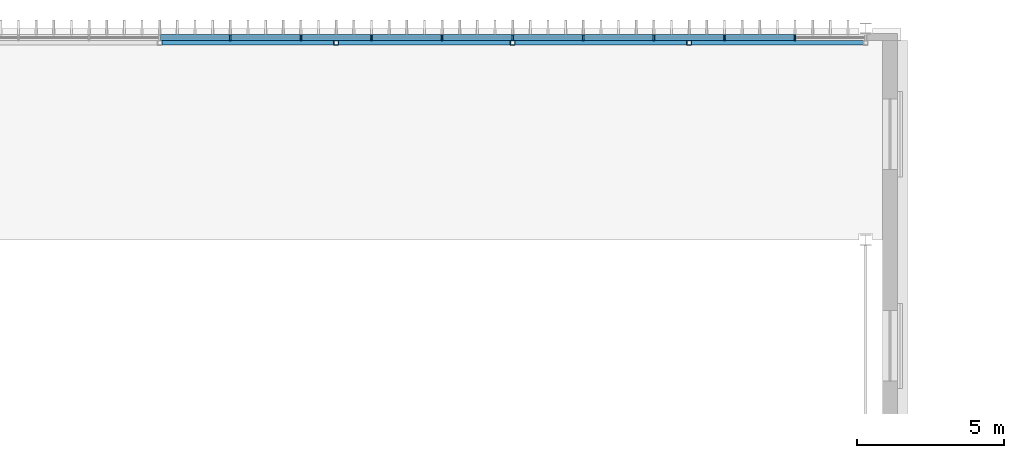
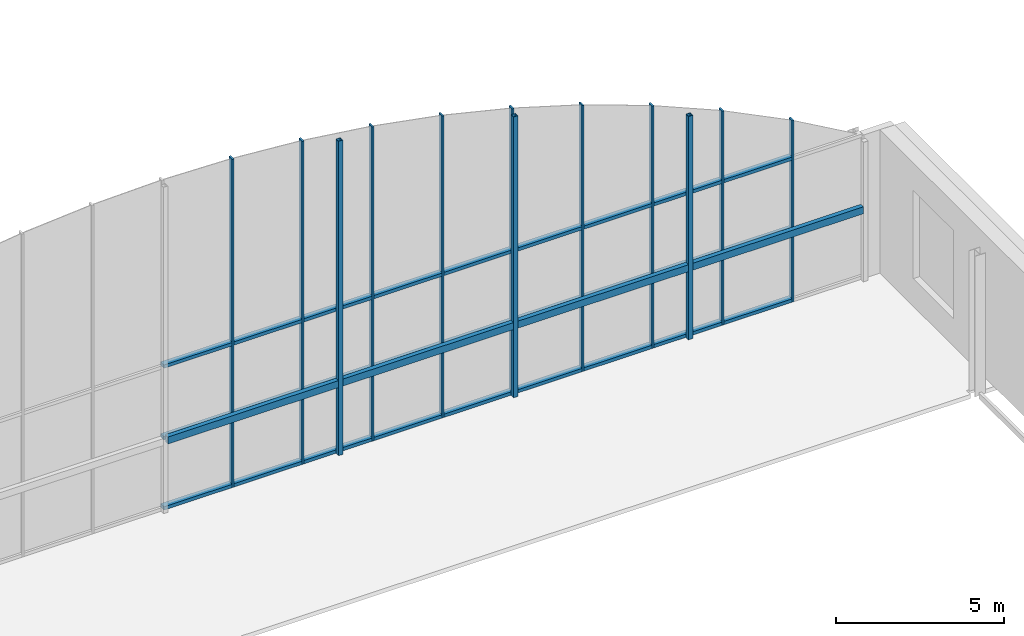
# One storey, part 29 of 93: 39 members, 4 beams, 1 element without a shape of its own.
"""IFC4 building model written with IfcOpenShell, lengths in metres."""

from ifc_helpers import new_model, si_unit, direction, frame, origin, origin_2d, place, context, subcontext, project, spatial, rectangle, hollow_rectangle, extrude, material, layer, layer_set, material_profile, profile_set, type_object, element, aggregate, save


model = new_model("IFC4")

# Units and contexts
model_context = context("Model", 3, precision=1e-05, world=origin(), true_north=direction((0.0, 1.0)))
body_context = subcontext(model_context, "Body", "Model", "MODEL_VIEW")
ifc_project = project(units=[si_unit("LENGTHUNIT", "METRE"), si_unit("AREAUNIT", "SQUARE_METRE"), si_unit("VOLUMEUNIT", "CUBIC_METRE"), si_unit("PLANEANGLEUNIT", "RADIAN"), si_unit("MASSUNIT", "GRAM", prefix="KILO")], contexts=[model_context])

# Site, building, storey
site_placement = place(None, origin())
site = spatial("IfcSite", under=ifc_project, at=site_placement, CompositionType="ELEMENT")
building_placement = place(site_placement, origin())
building = spatial("IfcBuilding", under=site, at=building_placement, Name="Verrick Yard Athletic Hall", CompositionType="ELEMENT")
storey_placement = place(building_placement, frame((0.0, 0.0, 8.800048828125)))
storey = spatial("IfcBuildingStorey", under=building, at=storey_placement, Name="L02", CompositionType="ELEMENT", Elevation=8.800048828125)

# Curtain wall, members
ifc_material_1 = material(Name="Anodised aluminium", Category="aluminium")
ifc_layer = layer(ifc_material_1, 0.199951171875)
ifc_layer_set = layer_set([ifc_layer], Name="Gable glazing")
curtain_wall_type = type_object("IfcCurtainWallType", Name="Gable glazing", PredefinedType="NOTDEFINED", material=ifc_layer_set)
curtain_wall_placement = place(storey_placement, origin())
curtain_wall = element("IfcCurtainWall", 1, at=curtain_wall_placement, inside=storey, type_object=curtain_wall_type, Name="Gable curtain wall BN", PredefinedType="NOTDEFINED")
ifc_material_profile_1 = material_profile(ifc_material_1, rectangle(XDim=0.199951171875, YDim=0.06005859375, at=origin_2d()), Name="CW gable mullion 60x200")
ifc_profile_set_1 = profile_set([ifc_material_profile_1], Name="Anodised aluminium")
member_type_1 = type_object("IfcMemberType", Name="Gable glazing mullion 60x200", PredefinedType="MULLION", material=ifc_profile_set_1)
member_1_placement = place(storey_placement, frame((54.39990234375, 107.681640625, 0.0), z_axis=(0.0, 0.0, 1.0), x_axis=(0.0, 1.0, 0.0)))
member_1 = element("IfcMember", 2, at=member_1_placement, type_object=member_type_1, Name="ENVB-HBN-CW/M11", PredefinedType="MULLION", context=body_context, shape_type="SweptSolid", body=[
    extrude(rectangle(XDim=0.199951171875, YDim=0.06005859375, at=origin_2d()), origin(), (0.0, 0.0, 1.0), 11.89453125),
])
member_2_placement = place(storey_placement, frame((56.800048828125, 107.681640625, 0.0), z_axis=(0.0, 0.0, 1.0), x_axis=(0.0, 1.0, 0.0)))
member_2 = element("IfcMember", 3, at=member_2_placement, type_object=member_type_1, Name="ENVB-HBN-CW/M12", PredefinedType="MULLION", context=body_context, shape_type="SweptSolid", body=[
    extrude(rectangle(XDim=0.199951171875, YDim=0.06005859375, at=origin_2d()), origin(), (0.0, 0.0, 1.0), 11.7060546875),
])
member_3_placement = place(storey_placement, frame((59.199951171875, 107.681640625, 0.0), z_axis=(0.0, 0.0, 1.0), x_axis=(0.0, 1.0, 0.0)))
member_3 = element("IfcMember", 4, at=member_3_placement, type_object=member_type_1, Name="ENVB-HBN-CW/M13", PredefinedType="MULLION", context=body_context, shape_type="SweptSolid", body=[
    extrude(rectangle(XDim=0.199951171875, YDim=0.06005859375, at=origin_2d()), origin(), (0.0, 0.0, 1.0), 11.39013671875),
])
member_4_placement = place(storey_placement, frame((61.60009765625, 107.681640625, 0.0), z_axis=(0.0, 0.0, 1.0), x_axis=(0.0, 1.0, 0.0)))
member_4 = element("IfcMember", 5, at=member_4_placement, type_object=member_type_1, Name="ENVB-HBN-CW/M14", PredefinedType="MULLION", context=body_context, shape_type="SweptSolid", body=[
    extrude(rectangle(XDim=0.199951171875, YDim=0.06005859375, at=origin_2d()), origin(), (0.0, 0.0, 1.0), 10.9443359375),
])
member_5_placement = place(storey_placement, frame((64.0, 107.681640625, 0.0), z_axis=(0.0, 0.0, 1.0), x_axis=(0.0, 1.0, 0.0)))
member_5 = element("IfcMember", 6, at=member_5_placement, type_object=member_type_1, Name="ENVB-HBN-CW/M15", PredefinedType="MULLION", context=body_context, shape_type="SweptSolid", body=[
    extrude(rectangle(XDim=0.199951171875, YDim=0.06005859375, at=origin_2d()), origin(), (0.0, 0.0, 1.0), 10.3642578125),
])
member_6_placement = place(storey_placement, frame((66.39990234375, 107.681640625, 0.0), z_axis=(0.0, 0.0, 1.0), x_axis=(0.0, 1.0, 0.0)))
member_6 = element("IfcMember", 7, at=member_6_placement, type_object=member_type_1, Name="ENVB-HBN-CW/M16", PredefinedType="MULLION", context=body_context, shape_type="SweptSolid", body=[
    extrude(rectangle(XDim=0.199951171875, YDim=0.06005859375, at=origin_2d()), origin(), (0.0, 0.0, 1.0), 9.64501953125),
])
member_7_placement = place(storey_placement, frame((68.800048828125, 107.681640625, 0.0), z_axis=(0.0, 0.0, 1.0), x_axis=(0.0, 1.0, 0.0)))
member_7 = element("IfcMember", 8, at=member_7_placement, type_object=member_type_1, Name="ENVB-HBN-CW/M17", PredefinedType="MULLION", context=body_context, shape_type="SweptSolid", body=[
    extrude(rectangle(XDim=0.199951171875, YDim=0.06005859375, at=origin_2d()), origin(), (0.0, 0.0, 1.0), 8.779541015625),
])
member_8_placement = place(storey_placement, frame((71.199951171875, 107.681640625, 0.0), z_axis=(0.0, 0.0, 1.0), x_axis=(0.0, 1.0, 0.0)))
member_8 = element("IfcMember", 9, at=member_8_placement, type_object=member_type_1, Name="ENVB-HBN-CW/M18", PredefinedType="MULLION", context=body_context, shape_type="SweptSolid", body=[
    extrude(rectangle(XDim=0.199951171875, YDim=0.06005859375, at=origin_2d()), origin(), (0.0, 0.0, 1.0), 7.758544921875),
])
member_9_placement = place(storey_placement, frame((73.60009765625, 107.681640625, 0.0), z_axis=(0.0, 0.0, 1.0), x_axis=(0.0, 1.0, 0.0)))
member_9 = element("IfcMember", 10, at=member_9_placement, type_object=member_type_1, Name="ENVB-HBN-CW/M19", PredefinedType="MULLION", context=body_context, shape_type="SweptSolid", body=[
    extrude(rectangle(XDim=0.199951171875, YDim=0.06005859375, at=origin_2d()), origin(), (0.0, 0.0, 1.0), 6.5703125),
])
ifc_material_profile_2 = material_profile(ifc_material_1, rectangle(XDim=0.199951171875, YDim=0.1201171875, at=origin_2d()), Name="CW gable transom 200x120")
ifc_profile_set_2 = profile_set([ifc_material_profile_2], Name="Anodised aluminium")
member_type_2 = type_object("IfcMemberType", Name="Gable glazing transom 200x120", PredefinedType="USERDEFINED", material=ifc_profile_set_2)
member_10_placement = place(storey_placement, frame((52.030029296875, 107.681640625, 0.06005859375), z_axis=(1.0, 0.0, 0.0), x_axis=(0.0, 1.0, 0.0)))
member_10 = element("IfcMember", 11, at=member_10_placement, type_object=member_type_2, Name="ENVB-HBN-CW/T10-00", ObjectType="TRANSOM", PredefinedType="USERDEFINED", context=body_context, shape_type="SweptSolid", body=[
    extrude(rectangle(XDim=0.199951171875, YDim=0.1201171875, at=origin_2d()), origin(), (0.0, 0.0, 1.0), 2.340087890625),
])
member_11_placement = place(storey_placement, frame((52.030029296875, 107.681640625, 2.599853515625), z_axis=(1.0, 0.0, 0.0), x_axis=(0.0, 1.0, 0.0)))
member_11 = element("IfcMember", 12, at=member_11_placement, type_object=member_type_2, Name="ENVB-HBN-CW/T10-01", ObjectType="TRANSOM", PredefinedType="USERDEFINED", context=body_context, shape_type="SweptSolid", body=[
    extrude(rectangle(XDim=0.199951171875, YDim=0.1201171875, at=origin_2d()), origin(), (0.0, 0.0, 1.0), 2.340087890625),
])
member_12_placement = place(storey_placement, frame((52.030029296875, 107.681640625, 5.199951171875), z_axis=(1.0, 0.0, 0.0), x_axis=(0.0, 1.0, 0.0)))
member_12 = element("IfcMember", 13, at=member_12_placement, type_object=member_type_2, Name="ENVB-HBN-CW/T10-02", ObjectType="TRANSOM", PredefinedType="USERDEFINED", context=body_context, shape_type="SweptSolid", body=[
    extrude(rectangle(XDim=0.199951171875, YDim=0.1201171875, at=origin_2d()), origin(), (0.0, 0.0, 1.0), 2.340087890625),
])
member_13_placement = place(storey_placement, frame((54.429931640625, 107.681640625, 0.06005859375), z_axis=(1.0, 0.0, 0.0), x_axis=(0.0, 1.0, 0.0)))
member_13 = element("IfcMember", 14, at=member_13_placement, type_object=member_type_2, Name="ENVB-HBN-CW/T11-00", ObjectType="TRANSOM", PredefinedType="USERDEFINED", context=body_context, shape_type="SweptSolid", body=[
    extrude(rectangle(XDim=0.199951171875, YDim=0.1201171875, at=origin_2d()), origin(), (0.0, 0.0, 1.0), 2.340087890625),
])
member_14_placement = place(storey_placement, frame((54.429931640625, 107.681640625, 2.599853515625), z_axis=(1.0, 0.0, 0.0), x_axis=(0.0, 1.0, 0.0)))
member_14 = element("IfcMember", 15, at=member_14_placement, type_object=member_type_2, Name="ENVB-HBN-CW/T11-01", ObjectType="TRANSOM", PredefinedType="USERDEFINED", context=body_context, shape_type="SweptSolid", body=[
    extrude(rectangle(XDim=0.199951171875, YDim=0.1201171875, at=origin_2d()), origin(), (0.0, 0.0, 1.0), 2.340087890625),
])
member_15_placement = place(storey_placement, frame((54.429931640625, 107.681640625, 5.199951171875), z_axis=(1.0, 0.0, 0.0), x_axis=(0.0, 1.0, 0.0)))
member_15 = element("IfcMember", 16, at=member_15_placement, type_object=member_type_2, Name="ENVB-HBN-CW/T11-02", ObjectType="TRANSOM", PredefinedType="USERDEFINED", context=body_context, shape_type="SweptSolid", body=[
    extrude(rectangle(XDim=0.199951171875, YDim=0.1201171875, at=origin_2d()), origin(), (0.0, 0.0, 1.0), 2.340087890625),
])
member_16_placement = place(storey_placement, frame((56.830078125, 107.681640625, 0.06005859375), z_axis=(1.0, 0.0, 0.0), x_axis=(0.0, 1.0, 0.0)))
member_16 = element("IfcMember", 17, at=member_16_placement, type_object=member_type_2, Name="ENVB-HBN-CW/T12-00", ObjectType="TRANSOM", PredefinedType="USERDEFINED", context=body_context, shape_type="SweptSolid", body=[
    extrude(rectangle(XDim=0.199951171875, YDim=0.1201171875, at=origin_2d()), origin(), (0.0, 0.0, 1.0), 2.33984375),
])
member_17_placement = place(storey_placement, frame((56.830078125, 107.681640625, 2.599853515625), z_axis=(1.0, 0.0, 0.0), x_axis=(0.0, 1.0, 0.0)))
member_17 = element("IfcMember", 18, at=member_17_placement, type_object=member_type_2, Name="ENVB-HBN-CW/T12-01", ObjectType="TRANSOM", PredefinedType="USERDEFINED", context=body_context, shape_type="SweptSolid", body=[
    extrude(rectangle(XDim=0.199951171875, YDim=0.1201171875, at=origin_2d()), origin(), (0.0, 0.0, 1.0), 2.33984375),
])
member_18_placement = place(storey_placement, frame((56.830078125, 107.681640625, 5.199951171875), z_axis=(1.0, 0.0, 0.0), x_axis=(0.0, 1.0, 0.0)))
member_18 = element("IfcMember", 19, at=member_18_placement, type_object=member_type_2, Name="ENVB-HBN-CW/T12-02", ObjectType="TRANSOM", PredefinedType="USERDEFINED", context=body_context, shape_type="SweptSolid", body=[
    extrude(rectangle(XDim=0.199951171875, YDim=0.1201171875, at=origin_2d()), origin(), (0.0, 0.0, 1.0), 2.33984375),
])
member_19_placement = place(storey_placement, frame((59.22998046875, 107.681640625, 0.06005859375), z_axis=(1.0, 0.0, 0.0), x_axis=(0.0, 1.0, 0.0)))
member_19 = element("IfcMember", 20, at=member_19_placement, type_object=member_type_2, Name="ENVB-HBN-CW/T13-00", ObjectType="TRANSOM", PredefinedType="USERDEFINED", context=body_context, shape_type="SweptSolid", body=[
    extrude(rectangle(XDim=0.199951171875, YDim=0.1201171875, at=origin_2d()), origin(), (0.0, 0.0, 1.0), 2.340087890625),
])
member_20_placement = place(storey_placement, frame((59.22998046875, 107.681640625, 2.599853515625), z_axis=(1.0, 0.0, 0.0), x_axis=(0.0, 1.0, 0.0)))
member_20 = element("IfcMember", 21, at=member_20_placement, type_object=member_type_2, Name="ENVB-HBN-CW/T13-01", ObjectType="TRANSOM", PredefinedType="USERDEFINED", context=body_context, shape_type="SweptSolid", body=[
    extrude(rectangle(XDim=0.199951171875, YDim=0.1201171875, at=origin_2d()), origin(), (0.0, 0.0, 1.0), 2.340087890625),
])
member_21_placement = place(storey_placement, frame((59.22998046875, 107.681640625, 5.199951171875), z_axis=(1.0, 0.0, 0.0), x_axis=(0.0, 1.0, 0.0)))
member_21 = element("IfcMember", 22, at=member_21_placement, type_object=member_type_2, Name="ENVB-HBN-CW/T13-02", ObjectType="TRANSOM", PredefinedType="USERDEFINED", context=body_context, shape_type="SweptSolid", body=[
    extrude(rectangle(XDim=0.199951171875, YDim=0.1201171875, at=origin_2d()), origin(), (0.0, 0.0, 1.0), 2.340087890625),
])
member_22_placement = place(storey_placement, frame((61.6298828125, 107.681640625, 0.06005859375), z_axis=(1.0, 0.0, 0.0), x_axis=(0.0, 1.0, 0.0)))
member_22 = element("IfcMember", 23, at=member_22_placement, type_object=member_type_2, Name="ENVB-HBN-CW/T14-00", ObjectType="TRANSOM", PredefinedType="USERDEFINED", context=body_context, shape_type="SweptSolid", body=[
    extrude(rectangle(XDim=0.199951171875, YDim=0.1201171875, at=origin_2d()), origin(), (0.0, 0.0, 1.0), 2.340087890625),
])
member_23_placement = place(storey_placement, frame((61.6298828125, 107.681640625, 2.599853515625), z_axis=(1.0, 0.0, 0.0), x_axis=(0.0, 1.0, 0.0)))
member_23 = element("IfcMember", 24, at=member_23_placement, type_object=member_type_2, Name="ENVB-HBN-CW/T14-01", ObjectType="TRANSOM", PredefinedType="USERDEFINED", context=body_context, shape_type="SweptSolid", body=[
    extrude(rectangle(XDim=0.199951171875, YDim=0.1201171875, at=origin_2d()), origin(), (0.0, 0.0, 1.0), 2.340087890625),
])
member_24_placement = place(storey_placement, frame((61.6298828125, 107.681640625, 5.199951171875), z_axis=(1.0, 0.0, 0.0), x_axis=(0.0, 1.0, 0.0)))
member_24 = element("IfcMember", 25, at=member_24_placement, type_object=member_type_2, Name="ENVB-HBN-CW/T14-02", ObjectType="TRANSOM", PredefinedType="USERDEFINED", context=body_context, shape_type="SweptSolid", body=[
    extrude(rectangle(XDim=0.199951171875, YDim=0.1201171875, at=origin_2d()), origin(), (0.0, 0.0, 1.0), 2.340087890625),
])
member_25_placement = place(storey_placement, frame((64.030029296875, 107.681640625, 0.06005859375), z_axis=(1.0, 0.0, 0.0), x_axis=(0.0, 1.0, 0.0)))
member_25 = element("IfcMember", 26, at=member_25_placement, type_object=member_type_2, Name="ENVB-HBN-CW/T15-00", ObjectType="TRANSOM", PredefinedType="USERDEFINED", context=body_context, shape_type="SweptSolid", body=[
    extrude(rectangle(XDim=0.199951171875, YDim=0.1201171875, at=origin_2d()), origin(), (0.0, 0.0, 1.0), 2.340087890625),
])
member_26_placement = place(storey_placement, frame((64.030029296875, 107.681640625, 2.599853515625), z_axis=(1.0, 0.0, 0.0), x_axis=(0.0, 1.0, 0.0)))
member_26 = element("IfcMember", 27, at=member_26_placement, type_object=member_type_2, Name="ENVB-HBN-CW/T15-01", ObjectType="TRANSOM", PredefinedType="USERDEFINED", context=body_context, shape_type="SweptSolid", body=[
    extrude(rectangle(XDim=0.199951171875, YDim=0.1201171875, at=origin_2d()), origin(), (0.0, 0.0, 1.0), 2.340087890625),
])
member_27_placement = place(storey_placement, frame((64.030029296875, 107.681640625, 5.199951171875), z_axis=(1.0, 0.0, 0.0), x_axis=(0.0, 1.0, 0.0)))
member_27 = element("IfcMember", 28, at=member_27_placement, type_object=member_type_2, Name="ENVB-HBN-CW/T15-02", ObjectType="TRANSOM", PredefinedType="USERDEFINED", context=body_context, shape_type="SweptSolid", body=[
    extrude(rectangle(XDim=0.199951171875, YDim=0.1201171875, at=origin_2d()), origin(), (0.0, 0.0, 1.0), 2.340087890625),
])
member_28_placement = place(storey_placement, frame((66.429931640625, 107.681640625, 0.06005859375), z_axis=(1.0, 0.0, 0.0), x_axis=(0.0, 1.0, 0.0)))
member_28 = element("IfcMember", 29, at=member_28_placement, type_object=member_type_2, Name="ENVB-HBN-CW/T16-00", ObjectType="TRANSOM", PredefinedType="USERDEFINED", context=body_context, shape_type="SweptSolid", body=[
    extrude(rectangle(XDim=0.199951171875, YDim=0.1201171875, at=origin_2d()), origin(), (0.0, 0.0, 1.0), 2.340087890625),
])
member_29_placement = place(storey_placement, frame((66.429931640625, 107.681640625, 2.599853515625), z_axis=(1.0, 0.0, 0.0), x_axis=(0.0, 1.0, 0.0)))
member_29 = element("IfcMember", 30, at=member_29_placement, type_object=member_type_2, Name="ENVB-HBN-CW/T16-01", ObjectType="TRANSOM", PredefinedType="USERDEFINED", context=body_context, shape_type="SweptSolid", body=[
    extrude(rectangle(XDim=0.199951171875, YDim=0.1201171875, at=origin_2d()), origin(), (0.0, 0.0, 1.0), 2.340087890625),
])
member_30_placement = place(storey_placement, frame((66.429931640625, 107.681640625, 5.199951171875), z_axis=(1.0, 0.0, 0.0), x_axis=(0.0, 1.0, 0.0)))
member_30 = element("IfcMember", 31, at=member_30_placement, type_object=member_type_2, Name="ENVB-HBN-CW/T16-02", ObjectType="TRANSOM", PredefinedType="USERDEFINED", context=body_context, shape_type="SweptSolid", body=[
    extrude(rectangle(XDim=0.199951171875, YDim=0.1201171875, at=origin_2d()), origin(), (0.0, 0.0, 1.0), 2.340087890625),
])
member_31_placement = place(storey_placement, frame((68.830078125, 107.681640625, 0.06005859375), z_axis=(1.0, 0.0, 0.0), x_axis=(0.0, 1.0, 0.0)))
member_31 = element("IfcMember", 32, at=member_31_placement, type_object=member_type_2, Name="ENVB-HBN-CW/T17-00", ObjectType="TRANSOM", PredefinedType="USERDEFINED", context=body_context, shape_type="SweptSolid", body=[
    extrude(rectangle(XDim=0.199951171875, YDim=0.1201171875, at=origin_2d()), origin(), (0.0, 0.0, 1.0), 2.33984375),
])
member_32_placement = place(storey_placement, frame((68.830078125, 107.681640625, 2.599853515625), z_axis=(1.0, 0.0, 0.0), x_axis=(0.0, 1.0, 0.0)))
member_32 = element("IfcMember", 33, at=member_32_placement, type_object=member_type_2, Name="ENVB-HBN-CW/T17-01", ObjectType="TRANSOM", PredefinedType="USERDEFINED", context=body_context, shape_type="SweptSolid", body=[
    extrude(rectangle(XDim=0.199951171875, YDim=0.1201171875, at=origin_2d()), origin(), (0.0, 0.0, 1.0), 2.33984375),
])
member_33_placement = place(storey_placement, frame((68.830078125, 107.681640625, 5.199951171875), z_axis=(1.0, 0.0, 0.0), x_axis=(0.0, 1.0, 0.0)))
member_33 = element("IfcMember", 34, at=member_33_placement, type_object=member_type_2, Name="ENVB-HBN-CW/T17-02", ObjectType="TRANSOM", PredefinedType="USERDEFINED", context=body_context, shape_type="SweptSolid", body=[
    extrude(rectangle(XDim=0.199951171875, YDim=0.1201171875, at=origin_2d()), origin(), (0.0, 0.0, 1.0), 2.33984375),
])
member_34_placement = place(storey_placement, frame((71.22998046875, 107.681640625, 0.06005859375), z_axis=(1.0, 0.0, 0.0), x_axis=(0.0, 1.0, 0.0)))
member_34 = element("IfcMember", 35, at=member_34_placement, type_object=member_type_2, Name="ENVB-HBN-CW/T18-00", ObjectType="TRANSOM", PredefinedType="USERDEFINED", context=body_context, shape_type="SweptSolid", body=[
    extrude(rectangle(XDim=0.199951171875, YDim=0.1201171875, at=origin_2d()), origin(), (0.0, 0.0, 1.0), 2.340087890625),
])
member_35_placement = place(storey_placement, frame((71.22998046875, 107.681640625, 2.599853515625), z_axis=(1.0, 0.0, 0.0), x_axis=(0.0, 1.0, 0.0)))
member_35 = element("IfcMember", 36, at=member_35_placement, type_object=member_type_2, Name="ENVB-HBN-CW/T18-01", ObjectType="TRANSOM", PredefinedType="USERDEFINED", context=body_context, shape_type="SweptSolid", body=[
    extrude(rectangle(XDim=0.199951171875, YDim=0.1201171875, at=origin_2d()), origin(), (0.0, 0.0, 1.0), 2.340087890625),
])
member_36_placement = place(storey_placement, frame((71.22998046875, 107.681640625, 5.199951171875), z_axis=(1.0, 0.0, 0.0), x_axis=(0.0, 1.0, 0.0)))
member_36 = element("IfcMember", 37, at=member_36_placement, type_object=member_type_2, Name="ENVB-HBN-CW/T18-02", ObjectType="TRANSOM", PredefinedType="USERDEFINED", context=body_context, shape_type="SweptSolid", body=[
    extrude(rectangle(XDim=0.199951171875, YDim=0.1201171875, at=origin_2d()), origin(), (0.0, 0.0, 1.0), 2.340087890625),
])
aggregate(curtain_wall, [member_1, member_2, member_3, member_4, member_5, member_6, member_7, member_8, member_9, member_10, member_11, member_12, member_13, member_14, member_15, member_16, member_17, member_18, member_19, member_20, member_21, member_22, member_23, member_24, member_25, member_26, member_27, member_28, member_29, member_30, member_31, member_32, member_33, member_34, member_35, member_36])

# Members
ifc_material_2 = material(Name="Structural steel HSS Class C 350W (CSA G40.20/G40.21)", Category="steel")
ifc_material_profile_3 = material_profile(ifc_material_2, hollow_rectangle(XDim=0.15234375, YDim=0.15234375, WallThickness=0.009521484375, at=origin_2d()), Name="HSS152x152x9.5")
ifc_profile_set_3 = profile_set([ifc_material_profile_3], Name="Structural steel HSS Class C 350W (CSA G40.20/G40.21)")
member_type_3 = type_object("IfcMemberType", Name="HB gable post HSS152x152x9.5", PredefinedType="POST", material=ifc_profile_set_3)
member_37_placement = place(storey_placement, frame((58.0, 107.50537109375, 0.0), z_axis=(0.0, 0.0, 1.0), x_axis=(1.0, 0.0, 0.0)))
element("IfcMember", 38, at=member_37_placement, inside=storey, type_object=member_type_3, Name="HB-GP-BN-5", PredefinedType="POST", context=body_context, shape_type="SweptSolid", body=[
    extrude(hollow_rectangle(XDim=0.15234375, YDim=0.15234375, WallThickness=0.009521484375, at=origin_2d()), origin(), (0.0, 0.0, 1.0), 11.395751953125),
])
member_38_placement = place(storey_placement, frame((64.0, 107.50537109375, 0.0), z_axis=(0.0, 0.0, 1.0), x_axis=(1.0, 0.0, 0.0)))
element("IfcMember", 39, at=member_38_placement, inside=storey, type_object=member_type_3, Name="HB-GP-BN-6", PredefinedType="POST", context=body_context, shape_type="SweptSolid", body=[
    extrude(hollow_rectangle(XDim=0.15234375, YDim=0.15234375, WallThickness=0.009521484375, at=origin_2d()), origin(), (0.0, 0.0, 1.0), 10.1767578125),
])
member_39_placement = place(storey_placement, frame((70.0, 107.50537109375, 0.0), z_axis=(0.0, 0.0, 1.0), x_axis=(1.0, 0.0, 0.0)))
element("IfcMember", 40, at=member_39_placement, inside=storey, type_object=member_type_3, Name="HB-GP-BN-7", PredefinedType="POST", context=body_context, shape_type="SweptSolid", body=[
    extrude(hollow_rectangle(XDim=0.15234375, YDim=0.15234375, WallThickness=0.009521484375, at=origin_2d()), origin(), (0.0, 0.0, 1.0), 8.096923828125),
])

# Beams
ifc_material_profile_4 = material_profile(ifc_material_2, hollow_rectangle(XDim=0.15234375, YDim=0.25390625, WallThickness=0.009521484375, at=origin_2d()), Name="HSS254x152x9.5")
ifc_profile_set_4 = profile_set([ifc_material_profile_4], Name="Structural steel HSS Class C 350W (CSA G40.20/G40.21)")
beam_type = type_object("IfcBeamType", Name="HB wind girder HSS254x152x9.5", PredefinedType="BEAM", material=ifc_profile_set_4)
for number, where, z_axis, x_axis, name in (
    (41, (52.076171875, 107.50537109375, 2.599853515625), (1.0, 0.0, 0.0), (0.0, 1.0, 0.0), "HB-WG-BN-114-5"),
    (42, (58.076171875, 107.50537109375, 2.599853515625), (1.0, 0.0, 0.0), (0.0, 1.0, 0.0), "HB-WG-BN-114-6"),
    (43, (64.076171875, 107.50537109375, 2.599853515625), (1.0, 0.0, 0.0), (0.0, 1.0, 0.0), "HB-WG-BN-114-7"),
    (44, (70.076171875, 107.50537109375, 2.599853515625), (1.0, 0.0, 0.0), (0.0, 1.0, 0.0), "HB-WG-BN-114-8"),
):
    element("IfcBeam", number, at=place(storey_placement, frame(where, z_axis=z_axis, x_axis=x_axis)), inside=storey, type_object=beam_type, Name=name, PredefinedType="BEAM", context=body_context, shape_type="SweptSolid", body=[
        extrude(hollow_rectangle(XDim=0.15234375, YDim=0.25390625, WallThickness=0.009521484375, at=origin_2d()), origin(), (0.0, 0.0, 1.0), 5.84765625),
    ])

save(model, "model.ifc")
